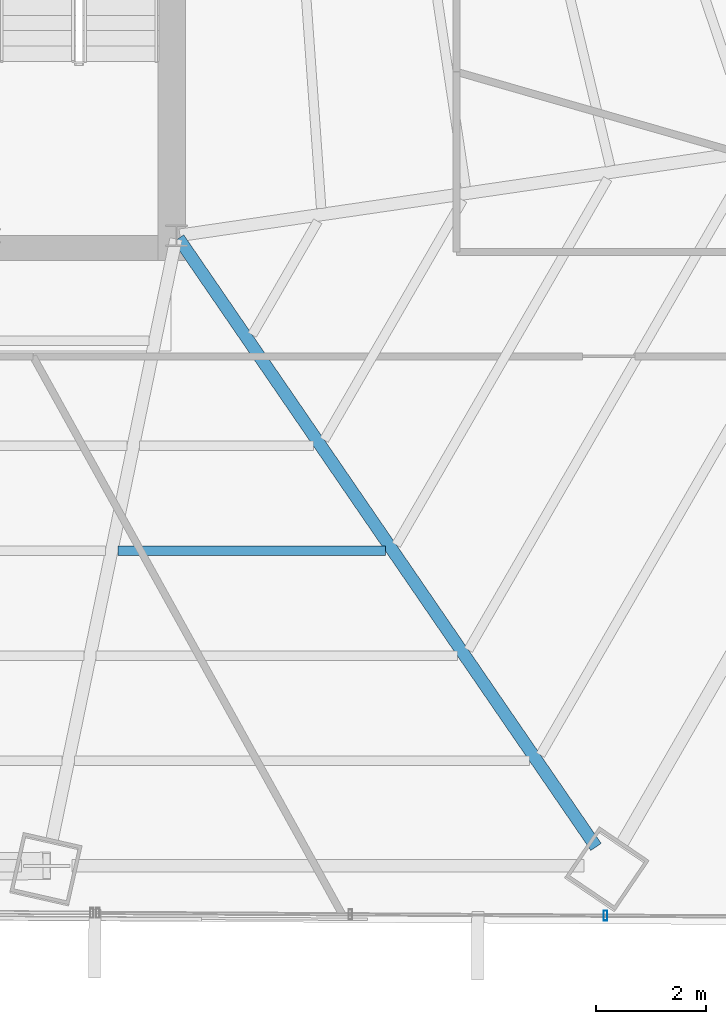
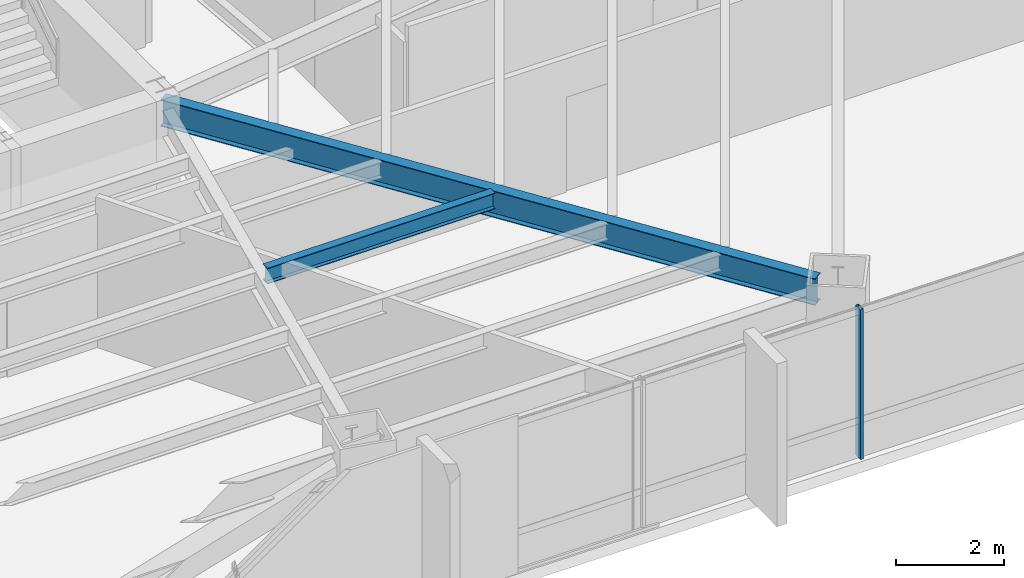
# One storey, part 16 of 36: 2 beams, 1 member, 1 element without a shape of its own.
"""IFC4 building model written with IfcOpenShell, lengths in metres."""

from ifc_helpers import new_model, si_unit, direction, frame, origin, origin_2d, place, context, subcontext, project, spatial, hollow_rectangle, i_section, extrude, source, transform, mapped, material, material_profile, profile_set, type_object, type_shapes, element, aggregate, save


model = new_model("IFC4")

# Units and contexts
model_context = context("Model", 3, precision=1e-05, world=origin(), true_north=direction((0.0, 1.0)))
body_context = subcontext(model_context, "Body", "Model", "MODEL_VIEW")
ifc_project = project(units=[si_unit("LENGTHUNIT", "METRE"), si_unit("AREAUNIT", "SQUARE_METRE"), si_unit("VOLUMEUNIT", "CUBIC_METRE"), si_unit("PLANEANGLEUNIT", "RADIAN"), si_unit("MASSUNIT", "GRAM", prefix="KILO")], contexts=[model_context])

# Site, building, storey
site_placement = place(None, origin())
site = spatial("IfcSite", under=ifc_project, at=site_placement, CompositionType="ELEMENT")
building_placement = place(site_placement, origin())
building = spatial("IfcBuilding", under=site, at=building_placement, Name="Caelisora Broadcast Tower", CompositionType="ELEMENT")
storey_placement = place(building_placement, frame((0.0, 0.0, 79.85009765625)))
storey = spatial("IfcBuildingStorey", under=building, at=storey_placement, Name="L20", CompositionType="ELEMENT", Elevation=79.85009765625)

# Beams
ifc_material_1 = material(Name="Steel Grade 350 (AS/NZS 3679.1)", Category="steel")
ifc_material_profile_1 = material_profile(ifc_material_1, i_section(OverallWidth=0.22802734375, OverallDepth=0.602294921875, WebThickness=0.010498046875, FlangeThickness=0.014892578125, at=origin_2d()), Name="Steel Grade 350 (AS/NZS 3679.1)")
ifc_profile_set_1 = profile_set([ifc_material_profile_1], Name="Steel Grade 350 (AS/NZS 3679.1)")
beam_type_1 = type_object("IfcBeamType", Name="PG04", PredefinedType="BEAM", material=ifc_profile_set_1)
shared_shape_1 = source(origin(), body_context, "Body", "SweptSolid", [
    extrude(i_section(OverallWidth=0.22802734375, OverallDepth=0.602294921875, WebThickness=0.010498046875, FlangeThickness=0.014892578125, at=origin_2d()), origin(), (0.0, 0.0, 1.0), 13.4580078125),
])
type_shapes(beam_type_1, [shared_shape_1])
beam_1_placement = place(storey_placement, frame((45.533935546875, 17.3505859375, 3.098876953125), z_axis=(0.565744799035, -0.824580391693, 0.0), x_axis=(0.824580391693, 0.565744799035, 0.0)))
element("IfcBeam", 1, at=beam_1_placement, inside=storey, type_object=beam_type_1, Name="L20 beam PG04", PredefinedType="BEAM", context=body_context, shape_type="MappedRepresentation", body=[
    mapped(shared_shape_1, transform((0.0, 0.0, 0.0), scale=1.0)),
])
ifc_material_profile_2 = material_profile(ifc_material_1, i_section(OverallWidth=0.172119140625, OverallDepth=0.358642578125, WebThickness=0.008056640625, FlangeThickness=0.012939453125, at=origin_2d()), Name="Steel Grade 350 (AS/NZS 3679.1)")
ifc_profile_set_2 = profile_set([ifc_material_profile_2], Name="Steel Grade 350 (AS/NZS 3679.1)")
beam_type_2 = type_object("IfcBeamType", Name="SB02", PredefinedType="JOIST", material=ifc_profile_set_2)
shared_shape_2 = source(origin(), body_context, "Body", "SweptSolid", [
    extrude(i_section(OverallWidth=0.172119140625, OverallDepth=0.358642578125, WebThickness=0.008056640625, FlangeThickness=0.012939453125, at=origin_2d()), origin(), (0.0, 0.0, 1.0), 4.8798828125),
])
type_shapes(beam_type_2, [shared_shape_2])
beam_2_placement = place(storey_placement, frame((44.427490234375, 11.653564453125, 3.220703125), z_axis=(1.0, 0.0, 0.0), x_axis=(0.0, 1.0, 0.0)))
element("IfcBeam", 2, at=beam_2_placement, inside=storey, type_object=beam_type_2, Name="L20 beam SB02", PredefinedType="JOIST", context=body_context, shape_type="MappedRepresentation", body=[
    mapped(shared_shape_2, transform((0.0, 0.0, 0.0), scale=1.0)),
])

# Curtain wall, member
ifc_material_2 = material(Name="Unitised Aluminium and Low-E Glass Curtain Wall", Category="glass")
curtain_wall_type = type_object("IfcCurtainWallType", Name="CW-Z2", PredefinedType="NOTDEFINED", material=ifc_material_2)
curtain_wall_placement = place(storey_placement, origin())
curtain_wall = element("IfcCurtainWall", 3, at=curtain_wall_placement, inside=storey, type_object=curtain_wall_type, Name="L20 curtain wall CW-Z2", PredefinedType="NOTDEFINED")
ifc_material_3 = material(Name="Aluminium 6063-T6 Anodised Terracotta Bronze", Category="aluminium")
ifc_material_profile_3 = material_profile(ifc_material_3, hollow_rectangle(XDim=0.06494140625, YDim=0.179931640625, WallThickness=0.00341796875, at=origin_2d()), Name="Aluminium 6063-T6 Anodised Terracotta Bronze")
ifc_profile_set_3 = profile_set([ifc_material_profile_3], Name="Aluminium 6063-T6 Anodised Terracotta Bronze")
member_type = type_object("IfcMemberType", Name="CWM-02", PredefinedType="MULLION", material=ifc_profile_set_3)
shared_shape_3 = source(origin(), body_context, "Body", "SweptSolid", [
    extrude(hollow_rectangle(XDim=0.06494140625, YDim=0.179931640625, WallThickness=0.00341796875, at=origin_2d()), origin(), (0.0, 0.0, 1.0), 3.39990234375),
])
type_shapes(member_type, [shared_shape_3])
member_placement = place(storey_placement, frame((53.32080078125, 4.99951171875, 0.0), z_axis=(0.0, 0.0, 1.0), x_axis=(1.0, 0.0, 0.0)))
member = element("IfcMember", 4, at=member_placement, type_object=member_type, Name="L20-CW-B05 mullion #1", PredefinedType="MULLION", context=body_context, shape_type="MappedRepresentation", body=[
    mapped(shared_shape_3, transform((0.0, 0.0, 0.0), scale=1.0)),
])
aggregate(curtain_wall, [member])

save(model, "model.ifc")
